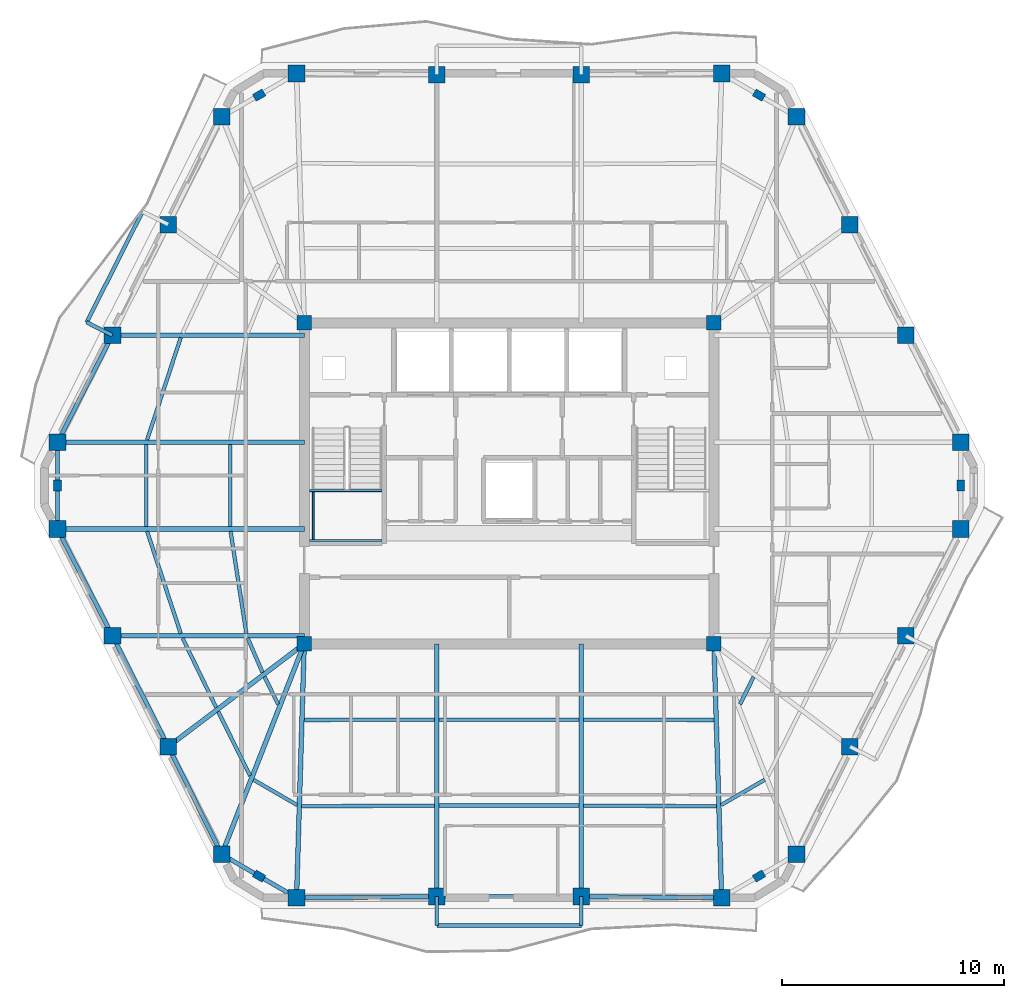
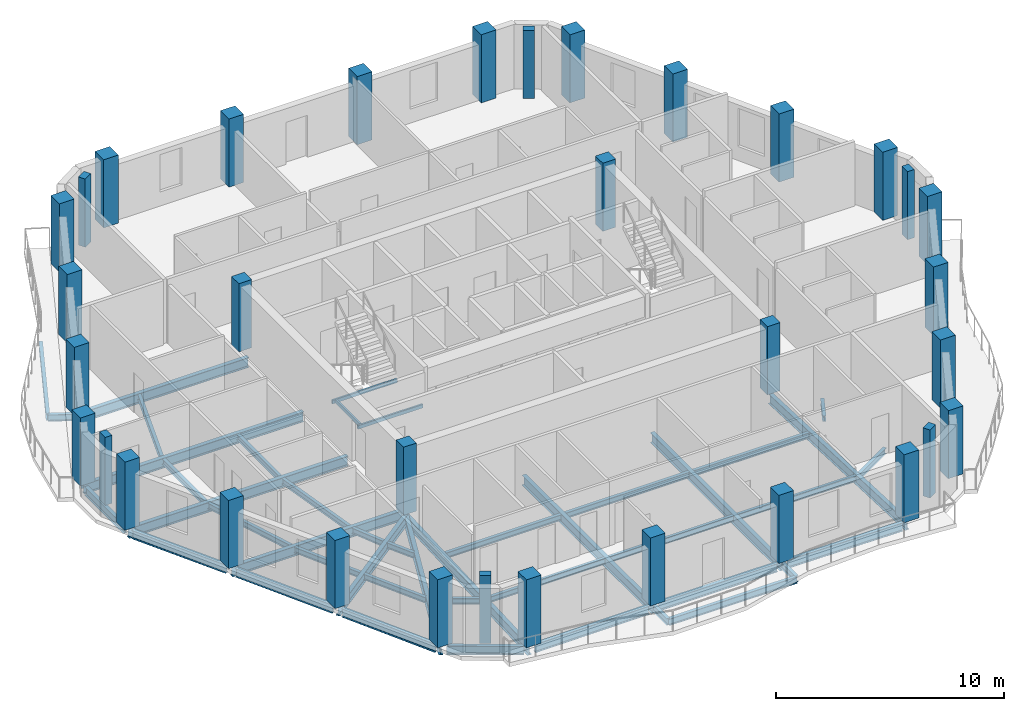
# One storey, part 1 of 11: 45 beams, 34 columns.
"""IFC4 building model written with IfcOpenShell, lengths in metres."""

from ifc_helpers import new_model, si_unit, direction, frame, origin, origin_2d, place, context, subcontext, project, spatial, rectangle, hollow_rectangle, i_section, extrude, material, material_profile, profile_set, type_object, element, save


model = new_model("IFC4")

# Units and contexts
model_context = context("Model", 3, precision=1e-05, world=origin(), true_north=direction((0.0, 1.0)))
body_context = subcontext(model_context, "Body", "Model", "MODEL_VIEW")
ifc_project = project(units=[si_unit("LENGTHUNIT", "METRE"), si_unit("AREAUNIT", "SQUARE_METRE"), si_unit("VOLUMEUNIT", "CUBIC_METRE"), si_unit("PLANEANGLEUNIT", "RADIAN"), si_unit("MASSUNIT", "GRAM", prefix="KILO")], contexts=[model_context])

# Site, building, storey
site_placement = place(None, origin())
site = spatial("IfcSite", under=ifc_project, at=site_placement, CompositionType="ELEMENT")
building_placement = place(site_placement, origin())
building = spatial("IfcBuilding", under=site, at=building_placement, Name="Cinnabar Lancet Tower", CompositionType="ELEMENT")
storey_placement = place(building_placement, frame((0.0, 0.0, 248.89990234375)))
storey = spatial("IfcBuildingStorey", under=building, at=storey_placement, Name="L66", CompositionType="ELEMENT", Elevation=248.89990234375)

# Columns
ifc_material_1 = material(Name="Concrete C50/60", Category="concrete")
ifc_material_profile_1 = material_profile(ifc_material_1, rectangle(XDim=0.64990234375, YDim=0.64990234375, at=origin_2d()), Name="RC-COL 650x650")
ifc_profile_set_1 = profile_set([ifc_material_profile_1], Name="Concrete C50/60")
column_type_1 = type_object("IfcColumnType", Name="STR-COL-CORE-650B", PredefinedType="COLUMN", material=ifc_profile_set_1)
for number, where, z_axis, x_axis, name in (
    (1, (23.175048828125, 18.675048828125, 0.0), (0.0, 0.0, 1.0), (1.0, 0.0, 0.0), "L66 Core Corner Column SW"),
    (2, (41.625, 18.675048828125, 0.0), (0.0, 0.0, 1.0), (1.0, 0.0, 0.0), "L66 Core Corner Column SE"),
    (3, (41.625, 33.125, 0.0), (0.0, 0.0, 1.0), (1.0, 0.0, 0.0), "L66 Core Corner Column NE"),
    (4, (23.175048828125, 33.125, 0.0), (0.0, 0.0, 1.0), (1.0, 0.0, 0.0), "L66 Core Corner Column NW"),
):
    element("IfcColumn", number, at=place(storey_placement, frame(where, z_axis=z_axis, x_axis=x_axis)), inside=storey, type_object=column_type_1, Name=name, PredefinedType="COLUMN", context=body_context, shape_type="SweptSolid", body=[
        extrude(rectangle(XDim=0.64990234375, YDim=0.64990234375, at=origin_2d()), origin(), (0.0, 0.0, 1.0), 3.650146484375),
    ])
ifc_material_2 = material(Name="Concrete C60/75", Category="concrete")
ifc_material_profile_2 = material_profile(ifc_material_2, rectangle(XDim=0.5, YDim=0.35009765625, at=origin_2d()), Name="RC-PIL 500x350")
ifc_profile_set_2 = profile_set([ifc_material_profile_2], Name="Concrete C60/75")
column_type_2 = type_object("IfcColumnType", Name="STR-COL-PIL-500", PredefinedType="PILASTER", material=ifc_profile_set_2)
for number, where, z_axis, x_axis, name in (
    (5, (21.14306640625, 8.215087890625, 0.0), (0.0, 0.0, 1.0), (0.865256437757, -0.501329529272, 0.0), "L66 Chamfered Corner Pilaster 1"),
    (6, (43.656982421875, 8.215087890625, 0.0), (0.0, 0.0, 1.0), (0.865256437757, 0.501329529272, 0.0), "L66 Chamfered Corner Pilaster 2"),
    (7, (52.737060546875, 25.800048828125, 0.0), (0.0, 0.0, 1.0), (0.0, 1.0, 0.0), "L66 Chamfered Corner Pilaster 3"),
    (8, (43.656982421875, 43.385009765625, 0.0), (0.0, 0.0, 1.0), (-0.865256437757, 0.501329529272, 0.0), "L66 Chamfered Corner Pilaster 4"),
    (9, (21.14306640625, 43.385009765625, 0.0), (0.0, 0.0, 1.0), (-0.865256437757, -0.501329529272, 0.0), "L66 Chamfered Corner Pilaster 5"),
    (10, (12.06298828125, 25.800048828125, 0.0), (0.0, 0.0, 1.0), (0.0, -1.0, 0.0), "L66 Chamfered Corner Pilaster 6"),
):
    element("IfcColumn", number, at=place(storey_placement, frame(where, z_axis=z_axis, x_axis=x_axis)), inside=storey, type_object=column_type_2, Name=name, PredefinedType="PILASTER", context=body_context, shape_type="SweptSolid", body=[
        extrude(rectangle(XDim=0.5, YDim=0.35009765625, at=origin_2d()), origin(), (0.0, 0.0, 1.0), 3.650146484375),
    ])
ifc_material_3 = material(Name="Concrete C50/60", Category="concrete")
ifc_material_profile_3 = material_profile(ifc_material_3, rectangle(XDim=0.75, YDim=0.75, at=origin_2d()), Name="RC-COL 750x750")
ifc_profile_set_3 = profile_set([ifc_material_profile_3], Name="Concrete C50/60")
column_type_3 = type_object("IfcColumnType", Name="STR-COL-TUBE-750", PredefinedType="COLUMN", material=ifc_profile_set_3)
for number, where, z_axis, x_axis, name in (
    (11, (22.827880859375, 7.239013671875, 0.0), (0.0, 0.0, 1.0), (1.0, 0.0, 0.0), "L66 Perimeter Tube Column 1"),
    (12, (29.14599609375, 7.2919921875, 0.0), (0.0, 0.0, 1.0), (1.0, 0.0, 0.0), "L66 Perimeter Tube Column 2"),
    (13, (35.654052734375, 7.2919921875, 0.0), (0.0, 0.0, 1.0), (1.0, 0.0, 0.0), "L66 Perimeter Tube Column 3"),
    (14, (41.971923828125, 7.239013671875, 0.0), (0.0, 0.0, 1.0), (1.0, 0.0, 0.0), "L66 Perimeter Tube Column 4"),
    (15, (45.341064453125, 9.19091796875, 0.0), (0.0, 0.0, 1.0), (1.0, 0.0, 0.0), "L66 Perimeter Tube Column 5"),
    (16, (47.7490234375, 14.0458984375, 0.0), (0.0, 0.0, 1.0), (1.0, 0.0, 0.0), "L66 Perimeter Tube Column 6"),
    (17, (50.263916015625, 19.032958984375, 0.0), (0.0, 0.0, 1.0), (1.0, 0.0, 0.0), "L66 Perimeter Tube Column 7"),
    (18, (52.737060546875, 23.844970703125, 0.0), (0.0, 0.0, 1.0), (1.0, 0.0, 0.0), "L66 Perimeter Tube Column 8"),
    (19, (52.737060546875, 27.7548828125, 0.0), (0.0, 0.0, 1.0), (1.0, 0.0, 0.0), "L66 Perimeter Tube Column 9"),
    (20, (50.263916015625, 32.56689453125, 0.0), (0.0, 0.0, 1.0), (1.0, 0.0, 0.0), "L66 Perimeter Tube Column 10"),
    (21, (47.7490234375, 37.553955078125, 0.0), (0.0, 0.0, 1.0), (1.0, 0.0, 0.0), "L66 Perimeter Tube Column 11"),
    (22, (45.341064453125, 42.408935546875, 0.0), (0.0, 0.0, 1.0), (1.0, 0.0, 0.0), "L66 Perimeter Tube Column 12"),
    (23, (41.971923828125, 44.361083984375, 0.0), (0.0, 0.0, 1.0), (1.0, 0.0, 0.0), "L66 Perimeter Tube Column 13"),
    (24, (35.654052734375, 44.30810546875, 0.0), (0.0, 0.0, 1.0), (1.0, 0.0, 0.0), "L66 Perimeter Tube Column 14"),
    (25, (29.14599609375, 44.30810546875, 0.0), (0.0, 0.0, 1.0), (1.0, 0.0, 0.0), "L66 Perimeter Tube Column 15"),
    (26, (22.827880859375, 44.361083984375, 0.0), (0.0, 0.0, 1.0), (1.0, 0.0, 0.0), "L66 Perimeter Tube Column 16"),
    (27, (19.458984375, 42.408935546875, 0.0), (0.0, 0.0, 1.0), (1.0, 0.0, 0.0), "L66 Perimeter Tube Column 17"),
    (28, (17.051025390625, 37.553955078125, 0.0), (0.0, 0.0, 1.0), (1.0, 0.0, 0.0), "L66 Perimeter Tube Column 18"),
    (29, (14.535888671875, 32.56689453125, 0.0), (0.0, 0.0, 1.0), (1.0, 0.0, 0.0), "L66 Perimeter Tube Column 19"),
    (30, (12.06298828125, 27.7548828125, 0.0), (0.0, 0.0, 1.0), (1.0, 0.0, 0.0), "L66 Perimeter Tube Column 20"),
    (31, (12.06298828125, 23.844970703125, 0.0), (0.0, 0.0, 1.0), (1.0, 0.0, 0.0), "L66 Perimeter Tube Column 21"),
    (32, (14.535888671875, 19.032958984375, 0.0), (0.0, 0.0, 1.0), (1.0, 0.0, 0.0), "L66 Perimeter Tube Column 22"),
    (33, (17.051025390625, 14.0458984375, 0.0), (0.0, 0.0, 1.0), (1.0, 0.0, 0.0), "L66 Perimeter Tube Column 23"),
    (34, (19.458984375, 9.19091796875, 0.0), (0.0, 0.0, 1.0), (1.0, 0.0, 0.0), "L66 Perimeter Tube Column 24"),
):
    element("IfcColumn", number, at=place(storey_placement, frame(where, z_axis=z_axis, x_axis=x_axis)), inside=storey, type_object=column_type_3, Name=name, PredefinedType="COLUMN", context=body_context, shape_type="SweptSolid", body=[
        extrude(rectangle(XDim=0.75, YDim=0.75, at=origin_2d()), origin(), (0.0, 0.0, 1.0), 3.650146484375),
    ])

# Beams
ifc_material_4 = material(Name="Structural steel S355", Category="steel")
ifc_material_profile_4 = material_profile(ifc_material_4, i_section(OverallWidth=0.1650390625, OverallDepth=0.303466796875, WebThickness=0.006103515625, FlangeThickness=0.01025390625, FilletRadius=0.0087890625, at=origin_2d()), Name="UKB 305x165x40")
ifc_profile_set_4 = profile_set([ifc_material_profile_4], Name="Structural steel S355")
beam_type_1 = type_object("IfcBeamType", Name="STR-BM-JST-305", PredefinedType="JOIST", material=ifc_profile_set_4)
beam_1_placement = place(storey_placement, frame((16.097900390625, 23.739990234375, -0.351806640625), z_axis=(0.312536616989, -0.949905712711, 0.0), x_axis=(0.949905712711, 0.312536616989, 0.0)))
element("IfcBeam", 35, at=beam_1_placement, inside=storey, type_object=beam_type_1, Name="L66 Secondary Floor Joist 1", PredefinedType="JOIST", context=body_context, shape_type="SweptSolid", body=[
    extrude(i_section(OverallWidth=0.1650390625, OverallDepth=0.303466796875, WebThickness=0.006103515625, FlangeThickness=0.01025390625, FilletRadius=0.0087890625, at=origin_2d()), origin(), (0.0, 0.0, 1.0), 4.8447265625),
])
beam_2_placement = place(storey_placement, frame((19.85791015625, 23.739990234375, -0.351806640625), z_axis=(0.152262059154, -0.988340156698, 0.0), x_axis=(0.988340156698, 0.152262059154, 0.0)))
element("IfcBeam", 36, at=beam_2_placement, inside=storey, type_object=beam_type_1, Name="L66 Secondary Floor Joist 2", PredefinedType="JOIST", context=body_context, shape_type="SweptSolid", body=[
    extrude(i_section(OverallWidth=0.1650390625, OverallDepth=0.303466796875, WebThickness=0.006103515625, FlangeThickness=0.01025390625, FilletRadius=0.0087890625, at=origin_2d()), origin(), (0.0, 0.0, 1.0), 4.65625),
])
beam_3_placement = place(storey_placement, frame((17.697021484375, 18.927978515625, -0.351806640625), z_axis=(0.43610936109, -0.899893674369, 0.0), x_axis=(0.899893674369, 0.43610936109, 0.0)))
element("IfcBeam", 37, at=beam_3_placement, inside=storey, type_object=beam_type_1, Name="L66 Secondary Floor Joist 3", PredefinedType="JOIST", context=body_context, shape_type="SweptSolid", body=[
    extrude(i_section(OverallWidth=0.1650390625, OverallDepth=0.303466796875, WebThickness=0.006103515625, FlangeThickness=0.01025390625, FilletRadius=0.0087890625, at=origin_2d()), origin(), (0.0, 0.0, 1.0), 3.467041015625),
])
beam_4_placement = place(storey_placement, frame((20.62890625, 18.927978515625, -0.351806640625), z_axis=(0.396302440144, -0.91812002262, 0.0), x_axis=(0.91812002262, 0.396302440144, 0.0)))
element("IfcBeam", 38, at=beam_4_placement, inside=storey, type_object=beam_type_1, Name="L66 Secondary Floor Joist 4", PredefinedType="JOIST", context=body_context, shape_type="SweptSolid", body=[
    extrude(i_section(OverallWidth=0.1650390625, OverallDepth=0.303466796875, WebThickness=0.006103515625, FlangeThickness=0.01025390625, FilletRadius=0.0087890625, at=origin_2d()), origin(), (0.0, 0.0, 1.0), 1.6806640625),
])
beam_5_placement = place(storey_placement, frame((19.302978515625, 15.616943359375, -0.351806640625), z_axis=(0.444330443712, -0.895862967641, 0.0), x_axis=(0.895862967641, 0.444330443712, 0.0)))
element("IfcBeam", 39, at=beam_5_placement, inside=storey, type_object=beam_type_1, Name="L66 Secondary Floor Joist 5", PredefinedType="JOIST", context=body_context, shape_type="SweptSolid", body=[
    extrude(i_section(OverallWidth=0.1650390625, OverallDepth=0.303466796875, WebThickness=0.006103515625, FlangeThickness=0.01025390625, FilletRadius=0.0087890625, at=origin_2d()), origin(), (0.0, 0.0, 1.0), 3.220458984375),
])
beam_6_placement = place(storey_placement, frame((21.385009765625, 17.19091796875, -0.351806640625), z_axis=(0.444093192127, -0.89598060063, 0.0), x_axis=(0.89598060063, 0.444093192127, 0.0)))
element("IfcBeam", 40, at=beam_6_placement, inside=storey, type_object=beam_type_1, Name="L66 Secondary Floor Joist 6", PredefinedType="JOIST", context=body_context, shape_type="SweptSolid", body=[
    extrude(i_section(OverallWidth=0.1650390625, OverallDepth=0.303466796875, WebThickness=0.006103515625, FlangeThickness=0.01025390625, FilletRadius=0.0087890625, at=origin_2d()), origin(), (0.0, 0.0, 1.0), 1.378173828125),
])
beam_7_placement = place(storey_placement, frame((20.887939453125, 12.552001953125, -0.351806640625), z_axis=(0.865426285481, -0.501036270542, 0.0), x_axis=(0.501036270542, 0.865426285481, 0.0)))
element("IfcBeam", 41, at=beam_7_placement, inside=storey, type_object=beam_type_1, Name="L66 Secondary Floor Joist 7", PredefinedType="JOIST", context=body_context, shape_type="SweptSolid", body=[
    extrude(i_section(OverallWidth=0.1650390625, OverallDepth=0.303466796875, WebThickness=0.006103515625, FlangeThickness=0.01025390625, FilletRadius=0.0087890625, at=origin_2d()), origin(), (0.0, 0.0, 1.0), 2.267333984375),
])
beam_8_placement = place(storey_placement, frame((23.05810546875, 11.35693359375, -0.351806640625), z_axis=(0.999985712428, 0.005345553266, 0.0), x_axis=(-0.005345553266, 0.999985712428, 0.0)))
element("IfcBeam", 42, at=beam_8_placement, inside=storey, type_object=beam_type_1, Name="L66 Secondary Floor Joist 8", PredefinedType="JOIST", context=body_context, shape_type="SweptSolid", body=[
    extrude(i_section(OverallWidth=0.1650390625, OverallDepth=0.303466796875, WebThickness=0.006103515625, FlangeThickness=0.01025390625, FilletRadius=0.0087890625, at=origin_2d()), origin(), (0.0, 0.0, 1.0), 5.98291015625),
])
beam_9_placement = place(storey_placement, frame((23.176025390625, 15.243896484375, -0.351806640625), z_axis=(0.999996226008, 0.002747356738, 0.0), x_axis=(-0.002747356738, 0.999996226008, 0.0)))
element("IfcBeam", 43, at=beam_9_placement, inside=storey, type_object=beam_type_1, Name="L66 Secondary Floor Joist 9", PredefinedType="JOIST", context=body_context, shape_type="SweptSolid", body=[
    extrude(i_section(OverallWidth=0.1650390625, OverallDepth=0.303466796875, WebThickness=0.006103515625, FlangeThickness=0.01025390625, FilletRadius=0.0087890625, at=origin_2d()), origin(), (0.0, 0.0, 1.0), 5.864990234375),
])
for number, where, z_axis, x_axis, name in (
    (44, (29.2509765625, 11.389892578125, -0.351806640625), (1.0, 0.0, 0.0), (0.0, 1.0, 0.0), "L66 Secondary Floor Joist 10"),
    (45, (29.2509765625, 15.260009765625, -0.351806640625), (1.0, 0.0, 0.0), (0.0, 1.0, 0.0), "L66 Secondary Floor Joist 11"),
):
    element("IfcBeam", number, at=place(storey_placement, frame(where, z_axis=z_axis, x_axis=x_axis)), inside=storey, type_object=beam_type_1, Name=name, PredefinedType="JOIST", context=body_context, shape_type="SweptSolid", body=[
        extrude(i_section(OverallWidth=0.1650390625, OverallDepth=0.303466796875, WebThickness=0.006103515625, FlangeThickness=0.01025390625, FilletRadius=0.0087890625, at=origin_2d()), origin(), (0.0, 0.0, 1.0), 6.298095703125),
    ])
beam_10_placement = place(storey_placement, frame((35.759033203125, 11.388916015625, -0.351806640625), z_axis=(0.999985712428, -0.005345553266, 0.0), x_axis=(0.005345553266, 0.999985712428, 0.0)))
element("IfcBeam", 46, at=beam_10_placement, inside=storey, type_object=beam_type_1, Name="L66 Secondary Floor Joist 12", PredefinedType="JOIST", context=body_context, shape_type="SweptSolid", body=[
    extrude(i_section(OverallWidth=0.1650390625, OverallDepth=0.303466796875, WebThickness=0.006103515625, FlangeThickness=0.01025390625, FilletRadius=0.0087890625, at=origin_2d()), origin(), (0.0, 0.0, 1.0), 5.98291015625),
])
beam_11_placement = place(storey_placement, frame((35.759033203125, 15.260009765625, -0.351806640625), z_axis=(0.999996226008, -0.002747356738, 0.0), x_axis=(0.002747356738, 0.999996226008, 0.0)))
element("IfcBeam", 47, at=beam_11_placement, inside=storey, type_object=beam_type_1, Name="L66 Secondary Floor Joist 13", PredefinedType="JOIST", context=body_context, shape_type="SweptSolid", body=[
    extrude(i_section(OverallWidth=0.1650390625, OverallDepth=0.303466796875, WebThickness=0.006103515625, FlangeThickness=0.01025390625, FilletRadius=0.0087890625, at=origin_2d()), origin(), (0.0, 0.0, 1.0), 5.864990234375),
])
beam_12_placement = place(storey_placement, frame((41.949951171875, 11.416015625, -0.351806640625), z_axis=(0.865426285481, 0.501036270542, 0.0), x_axis=(-0.501036270542, 0.865426285481, 0.0)))
element("IfcBeam", 48, at=beam_12_placement, inside=storey, type_object=beam_type_1, Name="L66 Secondary Floor Joist 14", PredefinedType="JOIST", context=body_context, shape_type="SweptSolid", body=[
    extrude(i_section(OverallWidth=0.1650390625, OverallDepth=0.303466796875, WebThickness=0.006103515625, FlangeThickness=0.01025390625, FilletRadius=0.0087890625, at=origin_2d()), origin(), (0.0, 0.0, 1.0), 2.267333984375),
])
beam_13_placement = place(storey_placement, frame((42.802978515625, 15.9560546875, -0.351806640625), z_axis=(0.444093192127, 0.89598060063, 0.0), x_axis=(-0.89598060063, 0.444093192127, 0.0)))
element("IfcBeam", 49, at=beam_13_placement, inside=storey, type_object=beam_type_1, Name="L66 Secondary Floor Joist 16", PredefinedType="JOIST", context=body_context, shape_type="SweptSolid", body=[
    extrude(i_section(OverallWidth=0.1650390625, OverallDepth=0.303466796875, WebThickness=0.006103515625, FlangeThickness=0.01025390625, FilletRadius=0.0087890625, at=origin_2d()), origin(), (0.0, 0.0, 1.0), 1.378173828125),
])
beam_14_placement = place(storey_placement, frame((17.612060546875, 32.4619140625, -0.351806640625), z_axis=(-0.312551578319, -0.949900790025, 0.0), x_axis=(0.949900790025, -0.312551578319, 0.0)))
element("IfcBeam", 50, at=beam_14_placement, inside=storey, type_object=beam_type_1, Name="L66 Secondary Floor Joist 41", PredefinedType="JOIST", context=body_context, shape_type="SweptSolid", body=[
    extrude(i_section(OverallWidth=0.1650390625, OverallDepth=0.303466796875, WebThickness=0.006103515625, FlangeThickness=0.01025390625, FilletRadius=0.0087890625, at=origin_2d()), origin(), (0.0, 0.0, 1.0), 4.844482421875),
])
for number, where, z_axis, x_axis, name in (
    (51, (16.06298828125, 27.64990234375, -0.351806640625), (0.0, -1.0, 0.0), (1.0, 0.0, 0.0), "L66 Secondary Floor Joist 43"),
    (52, (19.841064453125, 27.64990234375, -0.351806640625), (0.0, -1.0, 0.0), (1.0, 0.0, 0.0), "L66 Secondary Floor Joist 44"),
):
    element("IfcBeam", number, at=place(storey_placement, frame(where, z_axis=z_axis, x_axis=x_axis)), inside=storey, type_object=beam_type_1, Name=name, PredefinedType="JOIST", context=body_context, shape_type="SweptSolid", body=[
        extrude(i_section(OverallWidth=0.1650390625, OverallDepth=0.303466796875, WebThickness=0.006103515625, FlangeThickness=0.01025390625, FilletRadius=0.0087890625, at=origin_2d()), origin(), (0.0, 0.0, 1.0), 3.699951171875),
    ])
ifc_material_5 = material(Name="Structural steel S355", Category="steel")
ifc_material_profile_5 = material_profile(ifc_material_5, hollow_rectangle(XDim=0.10009765625, YDim=0.199951171875, WallThickness=0.008056640625, InnerFilletRadius=0.00390625, OuterFilletRadius=0.011962890625, at=origin_2d()), Name="RHS 200x100x8")
ifc_profile_set_5 = profile_set([ifc_material_profile_5], Name="Structural steel S355")
beam_type_2 = type_object("IfcBeamType", Name="STR-BM-LND-203", PredefinedType="BEAM", material=ifc_profile_set_5)
for number, where, z_axis, x_axis, name in (
    (53, (23.39990234375, 23.330078125, 1.525146484375), (1.0, 0.0, 0.0), (0.0, 1.0, 0.0), "L66 ST-1-L66 Landing Support Beam S"),
    (54, (23.39990234375, 25.570068359375, 1.525146484375), (1.0, 0.0, 0.0), (0.0, 1.0, 0.0), "L66 ST-1-L66 Landing Support Beam N"),
):
    element("IfcBeam", number, at=place(storey_placement, frame(where, z_axis=z_axis, x_axis=x_axis)), inside=storey, type_object=beam_type_2, Name=name, PredefinedType="BEAM", context=body_context, shape_type="SweptSolid", body=[
        extrude(hollow_rectangle(XDim=0.10009765625, YDim=0.199951171875, WallThickness=0.008056640625, InnerFilletRadius=0.00390625, OuterFilletRadius=0.011962890625, at=origin_2d()), origin(), (0.0, 0.0, 1.0), 3.280029296875),
    ])
beam_15_placement = place(storey_placement, frame((23.580078125, 23.3798828125, 1.525146484375), z_axis=(0.0, 1.0, 0.0), x_axis=(-1.0, 0.0, 0.0)))
element("IfcBeam", 55, at=beam_15_placement, inside=storey, type_object=beam_type_2, Name="L66 ST-1-L66 Landing Side Trimmer Beam", PredefinedType="BEAM", context=body_context, shape_type="SweptSolid", body=[
    extrude(hollow_rectangle(XDim=0.10009765625, YDim=0.199951171875, WallThickness=0.008056640625, InnerFilletRadius=0.00390625, OuterFilletRadius=0.011962890625, at=origin_2d()), origin(), (0.0, 0.0, 1.0), 2.14013671875),
])
ifc_material_6 = material(Name="Structural steel S355", Category="steel")
ifc_material_profile_6 = material_profile(ifc_material_6, i_section(OverallWidth=0.1904296875, OverallDepth=0.45703125, WebThickness=0.009033203125, FlangeThickness=0.014404296875, FilletRadius=0.01025390625, at=origin_2d()), Name="UKB 457x191x74")
ifc_profile_set_6 = profile_set([ifc_material_profile_6], Name="Structural steel S355")
beam_type_3 = type_object("IfcBeamType", Name="STR-BM-SPN-457", PredefinedType="SPANDREL", material=ifc_profile_set_6)
beam_16_placement = place(storey_placement, frame((23.077880859375, 7.240966796875, -0.428955078125), z_axis=(0.999964432412, 0.008434092187, 0.0), x_axis=(-0.008434092187, 0.999964432412, 0.0)))
element("IfcBeam", 56, at=beam_16_placement, inside=storey, type_object=beam_type_3, Name="L66 Perimeter Spandrel 1", PredefinedType="SPANDREL", context=body_context, shape_type="SweptSolid", body=[
    extrude(i_section(OverallWidth=0.1904296875, OverallDepth=0.45703125, WebThickness=0.009033203125, FlangeThickness=0.014404296875, FilletRadius=0.01025390625, at=origin_2d()), origin(), (0.0, 0.0, 1.0), 5.818359375),
])
beam_17_placement = place(storey_placement, frame((29.39599609375, 7.2919921875, -0.428955078125), z_axis=(1.0, 0.0, 0.0), x_axis=(0.0, 1.0, 0.0)))
element("IfcBeam", 57, at=beam_17_placement, inside=storey, type_object=beam_type_3, Name="L66 Perimeter Spandrel 2", PredefinedType="SPANDREL", context=body_context, shape_type="SweptSolid", body=[
    extrude(i_section(OverallWidth=0.1904296875, OverallDepth=0.45703125, WebThickness=0.009033203125, FlangeThickness=0.014404296875, FilletRadius=0.01025390625, at=origin_2d()), origin(), (0.0, 0.0, 1.0), 6.008056640625),
])
beam_18_placement = place(storey_placement, frame((35.904052734375, 7.2900390625, -0.428955078125), z_axis=(0.999964429427, -0.00843444609, 0.0), x_axis=(0.00843444609, 0.999964429427, 0.0)))
element("IfcBeam", 58, at=beam_18_placement, inside=storey, type_object=beam_type_3, Name="L66 Perimeter Spandrel 3", PredefinedType="SPANDREL", context=body_context, shape_type="SweptSolid", body=[
    extrude(i_section(OverallWidth=0.1904296875, OverallDepth=0.45703125, WebThickness=0.009033203125, FlangeThickness=0.014404296875, FilletRadius=0.01025390625, at=origin_2d()), origin(), (0.0, 0.0, 1.0), 5.818115234375),
])
beam_19_placement = place(storey_placement, frame((14.422119140625, 32.344970703125, -0.428955078125), z_axis=(-0.457148063427, -0.889390604912, 0.0), x_axis=(0.889390604912, -0.457148063427, 0.0)))
element("IfcBeam", 59, at=beam_19_placement, inside=storey, type_object=beam_type_3, Name="L66 Perimeter Spandrel 19", PredefinedType="SPANDREL", context=body_context, shape_type="SweptSolid", body=[
    extrude(i_section(OverallWidth=0.1904296875, OverallDepth=0.45703125, WebThickness=0.009033203125, FlangeThickness=0.014404296875, FilletRadius=0.01025390625, at=origin_2d()), origin(), (0.0, 0.0, 1.0), 4.9111328125),
])
beam_20_placement = place(storey_placement, frame((12.06298828125, 27.5048828125, -0.428955078125), z_axis=(0.0, -1.0, 0.0), x_axis=(1.0, 0.0, 0.0)))
element("IfcBeam", 60, at=beam_20_placement, inside=storey, type_object=beam_type_3, Name="L66 Perimeter Spandrel 20", PredefinedType="SPANDREL", context=body_context, shape_type="SweptSolid", body=[
    extrude(i_section(OverallWidth=0.1904296875, OverallDepth=0.45703125, WebThickness=0.009033203125, FlangeThickness=0.014404296875, FilletRadius=0.01025390625, at=origin_2d()), origin(), (0.0, 0.0, 1.0), 3.409912109375),
])
beam_21_placement = place(storey_placement, frame((12.177001953125, 23.623046875, -0.428955078125), z_axis=(0.457127852293, -0.889400993174, 0.0), x_axis=(0.889400993174, 0.457127852293, 0.0)))
element("IfcBeam", 61, at=beam_21_placement, inside=storey, type_object=beam_type_3, Name="L66 Perimeter Spandrel 21", PredefinedType="SPANDREL", context=body_context, shape_type="SweptSolid", body=[
    extrude(i_section(OverallWidth=0.1904296875, OverallDepth=0.45703125, WebThickness=0.009033203125, FlangeThickness=0.014404296875, FilletRadius=0.01025390625, at=origin_2d()), origin(), (0.0, 0.0, 1.0), 4.911376953125),
])
beam_22_placement = place(storey_placement, frame((14.64892578125, 18.81005859375, -0.428955078125), z_axis=(0.450130146726, -0.892962961722, 0.0), x_axis=(0.892962961722, 0.450130146726, 0.0)))
element("IfcBeam", 62, at=beam_22_placement, inside=storey, type_object=beam_type_3, Name="L66 Perimeter Spandrel 22", PredefinedType="SPANDREL", context=body_context, shape_type="SweptSolid", body=[
    extrude(i_section(OverallWidth=0.1904296875, OverallDepth=0.45703125, WebThickness=0.009033203125, FlangeThickness=0.014404296875, FilletRadius=0.01025390625, at=origin_2d()), origin(), (0.0, 0.0, 1.0), 5.08544921875),
])
beam_23_placement = place(storey_placement, frame((17.162109375, 13.822021484375, -0.428955078125), z_axis=(0.44433276947, -0.895861814107, 0.0), x_axis=(0.895861814107, 0.44433276947, 0.0)))
element("IfcBeam", 63, at=beam_23_placement, inside=storey, type_object=beam_type_3, Name="L66 Perimeter Spandrel 23", PredefinedType="SPANDREL", context=body_context, shape_type="SweptSolid", body=[
    extrude(i_section(OverallWidth=0.1904296875, OverallDepth=0.45703125, WebThickness=0.009033203125, FlangeThickness=0.014404296875, FilletRadius=0.01025390625, at=origin_2d()), origin(), (0.0, 0.0, 1.0), 4.919189453125),
])
beam_24_placement = place(storey_placement, frame((19.675048828125, 9.06591796875, -0.428955078125), z_axis=(0.865230894194, -0.50137361292, 0.0), x_axis=(0.50137361292, 0.865230894194, 0.0)))
element("IfcBeam", 64, at=beam_24_placement, inside=storey, type_object=beam_type_3, Name="L66 Perimeter Spandrel 24", PredefinedType="SPANDREL", context=body_context, shape_type="SweptSolid", body=[
    extrude(i_section(OverallWidth=0.1904296875, OverallDepth=0.45703125, WebThickness=0.009033203125, FlangeThickness=0.014404296875, FilletRadius=0.01025390625, at=origin_2d()), origin(), (0.0, 0.0, 1.0), 3.39453125),
])
ifc_material_7 = material(Name="Structural steel S355", Category="steel")
ifc_material_profile_7 = material_profile(ifc_material_7, i_section(OverallWidth=0.209228515625, OverallDepth=0.533203125, WebThickness=0.010009765625, FlangeThickness=0.015625, FilletRadius=0.0126953125, at=origin_2d()), Name="UKB 533x210x92")
ifc_profile_set_7 = profile_set([ifc_material_profile_7], Name="Structural steel S355")
beam_type_4 = type_object("IfcBeamType", Name="STR-BM-UKB533-92", PredefinedType="BEAM", material=ifc_profile_set_7)
beam_25_placement = place(storey_placement, frame((17.051025390625, 14.0458984375, -0.466796875), z_axis=(0.797735075719, 0.603008083667, 0.0), x_axis=(-0.603008083667, 0.797735075719, 0.0)))
element("IfcBeam", 65, at=beam_25_placement, inside=storey, type_object=beam_type_4, Name="L66 Corner Collector Girder 1", PredefinedType="BEAM", context=body_context, shape_type="SweptSolid", body=[
    extrude(i_section(OverallWidth=0.209228515625, OverallDepth=0.533203125, WebThickness=0.010009765625, FlangeThickness=0.015625, FilletRadius=0.0126953125, at=origin_2d()), origin(), (0.0, 0.0, 1.0), 7.6767578125),
])
beam_26_placement = place(storey_placement, frame((22.827880859375, 7.239013671875, -0.466796875), z_axis=(0.030343393029, 0.999539533235, 0.0), x_axis=(-0.999539533235, 0.030343393029, 0.0)))
element("IfcBeam", 66, at=beam_26_placement, inside=storey, type_object=beam_type_4, Name="L66 Primary Floor Girder 1", PredefinedType="BEAM", context=body_context, shape_type="SweptSolid", body=[
    extrude(i_section(OverallWidth=0.209228515625, OverallDepth=0.533203125, WebThickness=0.010009765625, FlangeThickness=0.015625, FilletRadius=0.0126953125, at=origin_2d()), origin(), (0.0, 0.0, 1.0), 11.44140625),
])
for number, where, z_axis, x_axis, name in (
    (67, (29.14599609375, 7.2919921875, -0.466796875), (0.0, 1.0, 0.0), (-1.0, 0.0, 0.0), "L66 Primary Floor Girder 2"),
    (68, (35.654052734375, 7.2919921875, -0.466796875), (0.0, 1.0, 0.0), (-1.0, 0.0, 0.0), "L66 Primary Floor Girder 3"),
):
    element("IfcBeam", number, at=place(storey_placement, frame(where, z_axis=z_axis, x_axis=x_axis)), inside=storey, type_object=beam_type_4, Name=name, PredefinedType="BEAM", context=body_context, shape_type="SweptSolid", body=[
        extrude(i_section(OverallWidth=0.209228515625, OverallDepth=0.533203125, WebThickness=0.010009765625, FlangeThickness=0.015625, FilletRadius=0.0126953125, at=origin_2d()), origin(), (0.0, 0.0, 1.0), 11.383056640625),
    ])
beam_27_placement = place(storey_placement, frame((41.971923828125, 7.239013671875, -0.466796875), z_axis=(-0.030322074123, 0.999540180193, 0.0), x_axis=(-0.999540180193, -0.030322074123, 0.0)))
element("IfcBeam", 69, at=beam_27_placement, inside=storey, type_object=beam_type_4, Name="L66 Primary Floor Girder 4", PredefinedType="BEAM", context=body_context, shape_type="SweptSolid", body=[
    extrude(i_section(OverallWidth=0.209228515625, OverallDepth=0.533203125, WebThickness=0.010009765625, FlangeThickness=0.015625, FilletRadius=0.0126953125, at=origin_2d()), origin(), (0.0, 0.0, 1.0), 11.44140625),
])
beam_28_placement = place(storey_placement, frame((14.535888671875, 32.56689453125, -0.466796875), z_axis=(1.0, 0.0, 0.0), x_axis=(0.0, 1.0, 0.0)))
element("IfcBeam", 70, at=beam_28_placement, inside=storey, type_object=beam_type_4, Name="L66 Primary Floor Girder 19", PredefinedType="BEAM", context=body_context, shape_type="SweptSolid", body=[
    extrude(i_section(OverallWidth=0.209228515625, OverallDepth=0.533203125, WebThickness=0.010009765625, FlangeThickness=0.015625, FilletRadius=0.0126953125, at=origin_2d()), origin(), (0.0, 0.0, 1.0), 8.63916015625),
])
for number, where, z_axis, x_axis, name in (
    (71, (12.06298828125, 27.7548828125, -0.466796875), (1.0, 0.0, 0.0), (0.0, 1.0, 0.0), "L66 Primary Floor Girder 20"),
    (72, (12.06298828125, 23.844970703125, -0.466796875), (1.0, 0.0, 0.0), (0.0, 1.0, 0.0), "L66 Primary Floor Girder 21"),
):
    element("IfcBeam", number, at=place(storey_placement, frame(where, z_axis=z_axis, x_axis=x_axis)), inside=storey, type_object=beam_type_4, Name=name, PredefinedType="BEAM", context=body_context, shape_type="SweptSolid", body=[
        extrude(i_section(OverallWidth=0.209228515625, OverallDepth=0.533203125, WebThickness=0.010009765625, FlangeThickness=0.015625, FilletRadius=0.0126953125, at=origin_2d()), origin(), (0.0, 0.0, 1.0), 11.112060546875),
    ])
beam_29_placement = place(storey_placement, frame((14.535888671875, 19.032958984375, -0.466796875), z_axis=(1.0, 0.0, 0.0), x_axis=(0.0, 1.0, 0.0)))
element("IfcBeam", 73, at=beam_29_placement, inside=storey, type_object=beam_type_4, Name="L66 Primary Floor Girder 22", PredefinedType="BEAM", context=body_context, shape_type="SweptSolid", body=[
    extrude(i_section(OverallWidth=0.209228515625, OverallDepth=0.533203125, WebThickness=0.010009765625, FlangeThickness=0.015625, FilletRadius=0.0126953125, at=origin_2d()), origin(), (0.0, 0.0, 1.0), 8.63916015625),
])
beam_30_placement = place(storey_placement, frame((19.458984375, 9.19091796875, -0.466796875), z_axis=(0.364815017375, 0.931080019707, 0.0), x_axis=(-0.931080019707, 0.364815017375, 0.0)))
element("IfcBeam", 74, at=beam_30_placement, inside=storey, type_object=beam_type_4, Name="L66 Primary Floor Girder 24", PredefinedType="BEAM", context=body_context, shape_type="SweptSolid", body=[
    extrude(i_section(OverallWidth=0.209228515625, OverallDepth=0.533203125, WebThickness=0.010009765625, FlangeThickness=0.015625, FilletRadius=0.0126953125, at=origin_2d()), origin(), (0.0, 0.0, 1.0), 10.186279296875),
])
ifc_material_8 = material(Name="Structural steel S355", Category="steel")
ifc_material_profile_8 = material_profile(ifc_material_8, i_section(OverallWidth=0.17138671875, OverallDepth=0.35498046875, WebThickness=0.00732421875, FlangeThickness=0.011474609375, FilletRadius=0.01025390625, at=origin_2d()), Name="UKB 356x171x51")
ifc_profile_set_8 = profile_set([ifc_material_profile_8], Name="Structural steel S355")
beam_type_5 = type_object("IfcBeamType", Name="STR-BM-WAV-OUT", PredefinedType="BEAM", material=ifc_profile_set_8)
for number, where, z_axis, x_axis, name in (
    (75, (29.14599609375, 7.2919921875, -0.39794921875), (0.0, -1.0, 0.0), (1.0, 0.0, 0.0), "L66 Face 1 Balcony Outlooker A"),
    (76, (35.654052734375, 7.2919921875, -0.39794921875), (0.0, -1.0, 0.0), (1.0, 0.0, 0.0), "L66 Face 1 Balcony Outlooker B"),
    (77, (14.535888671875, 32.56689453125, -0.39794921875), (-0.892200264127, 0.451639998995, 0.0), (-0.451639998995, -0.892200264127, 0.0), "L66 Face 5 Balcony Outlooker B"),
):
    element("IfcBeam", number, at=place(storey_placement, frame(where, z_axis=z_axis, x_axis=x_axis)), inside=storey, type_object=beam_type_5, Name=name, PredefinedType="BEAM", context=body_context, shape_type="SweptSolid", body=[
        extrude(i_section(OverallWidth=0.17138671875, OverallDepth=0.35498046875, WebThickness=0.00732421875, FlangeThickness=0.011474609375, FilletRadius=0.01025390625, at=origin_2d()), origin(), (0.0, 0.0, 1.0), 1.300048828125),
    ])
ifc_material_9 = material(Name="Structural steel S355", Category="steel")
ifc_material_profile_9 = material_profile(ifc_material_9, i_section(OverallWidth=0.17138671875, OverallDepth=0.35498046875, WebThickness=0.00732421875, FlangeThickness=0.011474609375, FilletRadius=0.01025390625, at=origin_2d()), Name="UKB 356x171x51")
ifc_profile_set_9 = profile_set([ifc_material_profile_9], Name="Structural steel S355")
beam_type_6 = type_object("IfcBeamType", Name="STR-BM-WAV-TRIM", PredefinedType="SPANDREL", material=ifc_profile_set_9)
beam_31_placement = place(storey_placement, frame((29.14599609375, 5.991943359375, -0.39794921875), z_axis=(1.0, 0.0, 0.0), x_axis=(0.0, 1.0, 0.0)))
element("IfcBeam", 78, at=beam_31_placement, inside=storey, type_object=beam_type_6, Name="L66 Face 1 Balcony Edge Trimmer", PredefinedType="SPANDREL", context=body_context, shape_type="SweptSolid", body=[
    extrude(i_section(OverallWidth=0.17138671875, OverallDepth=0.35498046875, WebThickness=0.00732421875, FlangeThickness=0.011474609375, FilletRadius=0.01025390625, at=origin_2d()), origin(), (0.0, 0.0, 1.0), 6.508056640625),
])
beam_32_placement = place(storey_placement, frame((15.89111328125, 38.14111328125, -0.39794921875), z_axis=(-0.450305622338, -0.892874485295, 0.0), x_axis=(0.892874485295, -0.450305622338, 0.0)))
element("IfcBeam", 79, at=beam_32_placement, inside=storey, type_object=beam_type_6, Name="L66 Face 5 Balcony Edge Trimmer", PredefinedType="SPANDREL", context=body_context, shape_type="SweptSolid", body=[
    extrude(i_section(OverallWidth=0.17138671875, OverallDepth=0.35498046875, WebThickness=0.00732421875, FlangeThickness=0.011474609375, FilletRadius=0.01025390625, at=origin_2d()), origin(), (0.0, 0.0, 1.0), 5.58544921875),
])

save(model, "model.ifc")
